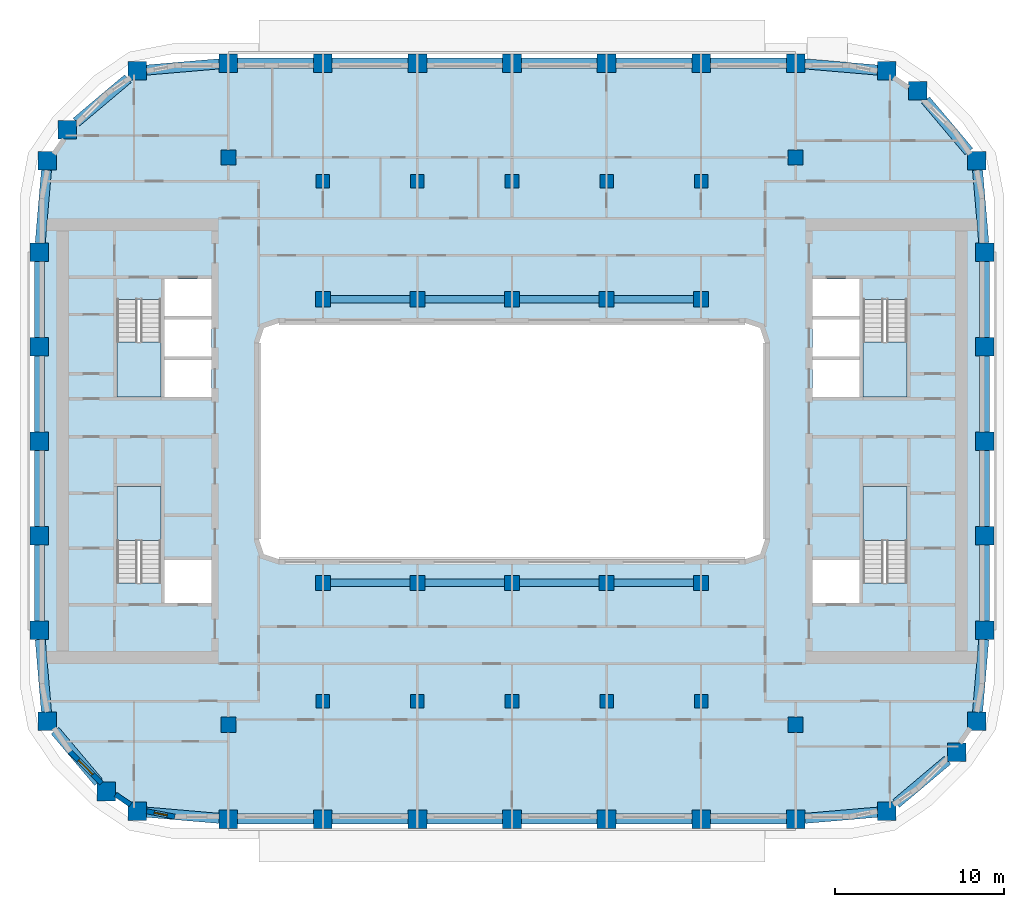
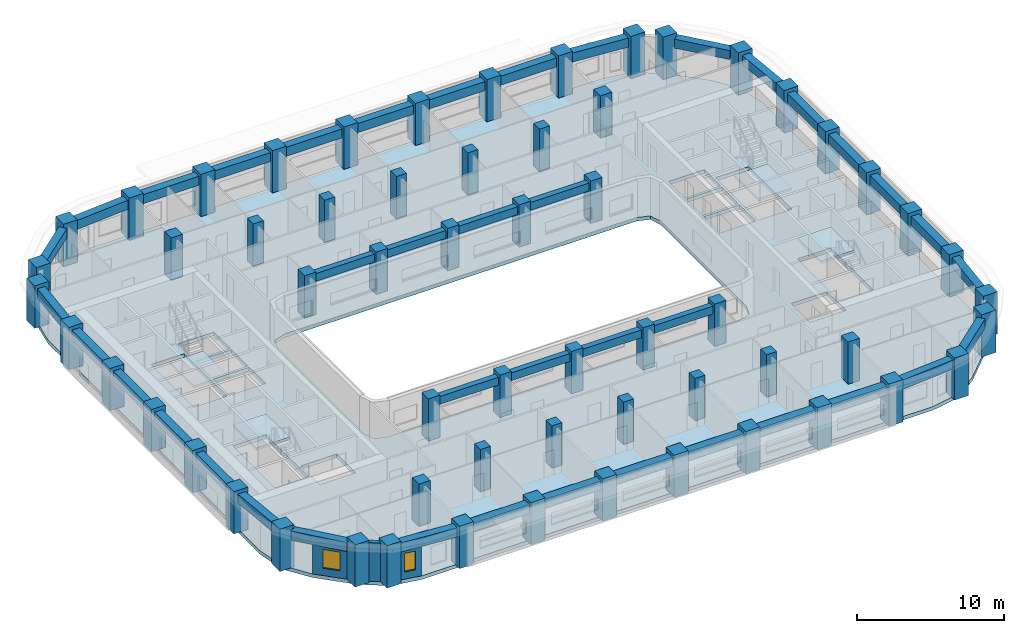
# One storey, part 1 of 22: 60 columns, 40 beams, 5 slabs, 3 walls, 2 windows, 2 openings, 4 elements without a shape of their own.
"""IFC4 building model written with IfcOpenShell, lengths in metres."""

import ifcopenshell
import ifcopenshell.guid

model = None  # the IFC model being written
_history = None  # IfcOwnerHistory: only IFC2X3 demands one
_inside = {}  # id of a spatial element -> (the spatial element, [elements in it])
_under = {}  # id of a project, library or spatial element -> (it, [spatial elements below it])
_declared = {}  # id of a project -> (the project, [libraries it declares])
_typed = {}  # id of a type object -> (the type object, [elements of that type])
_made_of = {}  # id of a material, layer set ... -> (it, [elements and type objects made of it])


def new_model(schema):
    """Start an empty IFC model of exactly this schema.

    Asked for "IFC4X3", IfcOpenShell would pick the latest addendum, in which some entities
    have other attributes; the version numbers below select the first issue.
    IFC2X3 requires an IfcOwnerHistory on every rooted entity: one is made here for all.
    """
    global model, _history
    if schema == "IFC4X3":
        model = ifcopenshell.file(schema_version=(4, 3, 0, 0))
    else:
        model = ifcopenshell.file(schema=schema)
    _inside.clear()
    _under.clear()
    _declared.clear()
    _typed.clear()
    _made_of.clear()
    _history = None
    if model.schema == "IFC2X3":
        org = make("IfcOrganization", Name="unknown")
        user = make(
            "IfcPersonAndOrganization",
            ThePerson=make("IfcPerson", FamilyName="unknown"),
            TheOrganization=org,
        )
        app = make(
            "IfcApplication",
            ApplicationDeveloper=org,
            Version="unknown",
            ApplicationFullName="unknown",
            ApplicationIdentifier="unknown",
        )
        _history = make(
            "IfcOwnerHistory",
            OwningUser=user,
            OwningApplication=app,
            ChangeAction="ADDED",
            CreationDate=0,
        )
    return model


def make(cls, **values):
    """One entity of the class cls with the attributes given. An attribute that is None is left unset."""
    return model.create_entity(
        cls, **{name: value for name, value in values.items() if value is not None}
    )


def rooted(cls, **values):
    """An entity with a GlobalId (a new one), such as an element, a storey or a relation."""
    return make(cls, GlobalId=ifcopenshell.guid.new(), OwnerHistory=_history, **values)


def si_unit(unit_type, name, prefix=None):
    """IfcSIUnit, for example si_unit("LENGTHUNIT", "METRE", prefix="MILLI")."""
    return make("IfcSIUnit", UnitType=unit_type, Prefix=prefix, Name=name)


def assignment(units):
    """IfcUnitAssignment: the units of a project."""
    return None if units is None else make("IfcUnitAssignment", Units=units)


def point(xyz):
    """IfcCartesianPoint."""
    return None if xyz is None else make("IfcCartesianPoint", Coordinates=xyz)


def direction(xyz):
    """IfcDirection."""
    return None if xyz is None else make("IfcDirection", DirectionRatios=xyz)


def frame(location, z_axis=None, x_axis=None):
    """IfcAxis2Placement3D, a coordinate frame: its origin and axes. An axis left out is left unset."""
    return make(
        "IfcAxis2Placement3D",
        Location=point(location),
        Axis=direction(z_axis),
        RefDirection=direction(x_axis),
    )


def frame_2d(location, x_axis=None):
    """IfcAxis2Placement2D, a coordinate frame in the plane: its origin and x axis."""
    return make(
        "IfcAxis2Placement2D", Location=point(location), RefDirection=direction(x_axis)
    )


def origin():
    """The frame at (0, 0, 0) with its axes left unset."""
    return frame((0.0, 0.0, 0.0))


def origin_2d():
    """The frame at (0, 0) in the plane with its x axis left unset."""
    return frame_2d((0.0, 0.0))


def place(relative_to, where):
    """IfcLocalPlacement: puts the frame where relative to a parent placement (None: the world)."""
    return make(
        "IfcLocalPlacement", PlacementRelTo=relative_to, RelativePlacement=where
    )


def context(
    kind, dimensions, precision=None, world=None, true_north=None, identifier=None
):
    """IfcGeometricRepresentationContext, for example the 3D "Model" context."""
    return make(
        "IfcGeometricRepresentationContext",
        ContextIdentifier=identifier,
        ContextType=kind,
        CoordinateSpaceDimension=dimensions,
        Precision=precision,
        WorldCoordinateSystem=world,
        TrueNorth=true_north,
    )


def subcontext(parent, identifier, kind, view, scale=None):
    """IfcGeometricRepresentationSubContext, for example "Body" below "Model"."""
    return make(
        "IfcGeometricRepresentationSubContext",
        ContextIdentifier=identifier,
        ContextType=kind,
        ParentContext=parent,
        TargetScale=scale,
        TargetView=view,
    )


def project(units=None, contexts=None):
    """IfcProject with its units and contexts."""
    return rooted(
        "IfcProject",
        Name="project",
        RepresentationContexts=contexts,
        UnitsInContext=assignment(units),
    )


def spatial(cls, under=None, at=None, **own):
    """A site, building, storey or space (cls), placed at a placement, below another one or the project."""
    s = rooted(cls, ObjectPlacement=at, **own)
    if under is not None:
        _under.setdefault(under.id(), (under, []))[1].append(s)
    return s


def polyline(points):
    """IfcPolyline through the points."""
    return make("IfcPolyline", Points=[point(p) for p in points])


def profile(cls, at=None, kind="AREA", **sizes):
    """A parametric profile (cls). Its sizes go by their IFC names, for example OverallWidth=200.0."""
    return make(cls, ProfileType=kind, Position=at, **sizes)


def rectangle(**sizes):
    """IfcRectangleProfileDef."""
    return profile("IfcRectangleProfileDef", **sizes)


def outline(outer, holes=None, kind="AREA"):
    """IfcArbitraryClosedProfileDef: a profile drawn as a closed curve; with holes, ...WithVoids."""
    if holes is None:
        return make("IfcArbitraryClosedProfileDef", ProfileType=kind, OuterCurve=outer)
    return make(
        "IfcArbitraryProfileDefWithVoids",
        ProfileType=kind,
        OuterCurve=outer,
        InnerCurves=holes,
    )


def extrude(swept, where, along, depth):
    """IfcExtrudedAreaSolid: the profile swept, set in the frame where, extruded along a direction by depth."""
    return make(
        "IfcExtrudedAreaSolid",
        SweptArea=swept,
        Position=where,
        ExtrudedDirection=direction(along),
        Depth=depth,
    )


def shape(context_of_items, identifier, shape_type, items):
    """IfcShapeRepresentation: the items that make up one representation, for example the "Body"."""
    return make(
        "IfcShapeRepresentation",
        ContextOfItems=context_of_items,
        RepresentationIdentifier=identifier,
        RepresentationType=shape_type,
        Items=items,
    )


def material(Name=None, Category=None):
    """IfcMaterial."""
    return make("IfcMaterial", Name=Name, Category=Category)


def layer(
    of_material, thickness, ventilated=None, Name=None, Category=None, Priority=None
):
    """IfcMaterialLayer: one layer of a wall or slab, of a material (None: an air gap)."""
    return make(
        "IfcMaterialLayer",
        Material=of_material,
        LayerThickness=thickness,
        IsVentilated=ventilated,
        Name=Name,
        Category=Category,
        Priority=Priority,
    )


def layer_set(layers, Name=None):
    """IfcMaterialLayerSet."""
    return make("IfcMaterialLayerSet", MaterialLayers=layers, LayerSetName=Name)


def material_profile(
    of_material, cross_section, Name=None, Category=None, Priority=None
):
    """IfcMaterialProfile: a cross section and its material."""
    return make(
        "IfcMaterialProfile",
        Name=Name,
        Material=of_material,
        Profile=cross_section,
        Priority=Priority,
        Category=Category,
    )


def profile_set(profiles, Name=None, composite=None):
    """IfcMaterialProfileSet."""
    return make(
        "IfcMaterialProfileSet",
        Name=Name,
        MaterialProfiles=profiles,
        CompositeProfile=composite,
    )


def made_of(thing, what):
    """Note that an element or type object is made of a material, layer set ...; save() writes the relation."""
    if what is not None:
        _made_of.setdefault(what.id(), (what, []))[1].append(thing)
    return thing


def type_object(cls, material=None, **own):
    """A type object (cls), such as IfcWallType, which elements share."""
    return made_of(rooted(cls, **own), material)


def element(
    cls,
    number,
    at=None,
    inside=None,
    cuts=None,
    type_object=None,
    material=None,
    context=None,
    identifier="Body",
    shape_type=None,
    held_by="IfcProductDefinitionShape",
    body=None,
    shapes=None,
    **own,
):
    """One element of the class cls, such as IfcWall. Its Tag is "e" and its number.

    at: its placement. inside: the storey or other place that contains it. cuts: it is an
    opening in that element (IfcRelVoidsElement). A single representation is given by context,
    identifier, shape_type and body (its items); several are given by shapes. held_by: the class
    of the entity that holds the representations. save() writes the other relations.
    """
    e = rooted(cls, Tag="e%d" % number, ObjectPlacement=at, **own)
    if body is not None:
        shapes = [shape(context, identifier, shape_type, body)]
    if shapes is not None:
        e.Representation = make(held_by, Representations=shapes)
    if inside is not None:
        _inside.setdefault(inside.id(), (inside, []))[1].append(e)
    if cuts is not None:
        rooted(
            "IfcRelVoidsElement", RelatingBuildingElement=cuts, RelatedOpeningElement=e
        )
    if type_object is not None:
        _typed.setdefault(type_object.id(), (type_object, []))[1].append(e)
    return made_of(e, material)


def fill(opening, filler):
    """IfcRelFillsElement: the door or window that sits in an opening."""
    return rooted(
        "IfcRelFillsElement",
        RelatingOpeningElement=opening,
        RelatedBuildingElement=filler,
    )


def aggregate(whole, parts):
    """IfcRelAggregates: a whole, such as a stair, and the parts it consists of."""
    return rooted("IfcRelAggregates", RelatingObject=whole, RelatedObjects=parts)


def save(model, path):
    """Write the relations noted so far, then the file.

    IfcRelAggregates (storeys below a building ...), IfcRelContainedInSpatialStructure (elements
    in a storey), IfcRelDefinesByType, IfcRelAssociatesMaterial and IfcRelDeclares: one each for
    every whole, place, type object, material and project.
    """
    for whole, parts in _under.values():
        aggregate(whole, parts)
    for where, things in _inside.values():
        rooted(
            "IfcRelContainedInSpatialStructure",
            RelatedElements=things,
            RelatingStructure=where,
        )
    for kind, things in _typed.values():
        rooted("IfcRelDefinesByType", RelatedObjects=things, RelatingType=kind)
    for what, things in _made_of.values():
        rooted("IfcRelAssociatesMaterial", RelatedObjects=things, RelatingMaterial=what)
    for by, libraries in _declared.values():
        rooted("IfcRelDeclares", RelatingContext=by, RelatedDefinitions=libraries)
    model.write(path)


model = new_model("IFC4")

# Units and contexts
model_context = context("Model", 3, precision=1e-05, world=origin(), true_north=direction((0.0, 1.0)))
body_context = subcontext(model_context, "Body", "Model", "MODEL_VIEW")
ifc_project = project(units=[si_unit("LENGTHUNIT", "METRE"), si_unit("AREAUNIT", "SQUARE_METRE"), si_unit("VOLUMEUNIT", "CUBIC_METRE"), si_unit("PLANEANGLEUNIT", "RADIAN"), si_unit("MASSUNIT", "GRAM", prefix="KILO")], contexts=[model_context])

# Site, building, storey
site_placement = place(None, origin())
site = spatial("IfcSite", under=ifc_project, at=site_placement, CompositionType="ELEMENT")
building_placement = place(site_placement, origin())
building = spatial("IfcBuilding", under=site, at=building_placement, Name="Kiln Ring Residences", CompositionType="ELEMENT")
storey_placement = place(building_placement, frame((0.0, 0.0, 153.60009765625)))
storey = spatial("IfcBuildingStorey", under=building, at=storey_placement, Name="L39", CompositionType="ELEMENT", Elevation=153.60009765625)

# Columns
ifc_material_1 = material(Name="Concrete C70/85", Category="concrete")
ifc_material_profile_1 = material_profile(ifc_material_1, rectangle(XDim=0.800048828125, YDim=0.800048828125, at=origin_2d()), Name="RC800x800")
ifc_profile_set_1 = profile_set([ifc_material_profile_1], Name="Concrete C70/85")
column_type_1 = type_object("IfcColumnType", Name="Corridor column RC800x800 C70/85", PredefinedType="COLUMN", material=ifc_profile_set_1)
for number, where, z_axis, x_axis, name in (
    (1, (-11.199951171875, 15.39990234375, 0.0), (0.0, 0.0, 1.0), (1.0, 0.0, 0.0), "Corridor column L39 1"),
    (2, (-5.60009765625, 15.39990234375, 0.0), (0.0, 0.0, 1.0), (1.0, 0.0, 0.0), "Corridor column L39 2"),
    (3, (0.0, 15.39990234375, 0.0), (0.0, 0.0, 1.0), (1.0, 0.0, 0.0), "Corridor column L39 3"),
    (4, (5.60009765625, 15.39990234375, 0.0), (0.0, 0.0, 1.0), (1.0, 0.0, 0.0), "Corridor column L39 4"),
    (5, (11.199951171875, 15.39990234375, 0.0), (0.0, 0.0, 1.0), (1.0, 0.0, 0.0), "Corridor column L39 5"),
    (6, (-11.199951171875, -15.39990234375, 0.0), (0.0, 0.0, 1.0), (1.0, 0.0, 0.0), "Corridor column L39 6"),
    (7, (-5.60009765625, -15.39990234375, 0.0), (0.0, 0.0, 1.0), (1.0, 0.0, 0.0), "Corridor column L39 7"),
    (8, (0.0, -15.39990234375, 0.0), (0.0, 0.0, 1.0), (1.0, 0.0, 0.0), "Corridor column L39 8"),
    (9, (5.60009765625, -15.39990234375, 0.0), (0.0, 0.0, 1.0), (1.0, 0.0, 0.0), "Corridor column L39 9"),
    (10, (11.199951171875, -15.39990234375, 0.0), (0.0, 0.0, 1.0), (1.0, 0.0, 0.0), "Corridor column L39 10"),
):
    element("IfcColumn", number, at=place(storey_placement, frame(where, z_axis=z_axis, x_axis=x_axis)), inside=storey, type_object=column_type_1, Name=name, PredefinedType="COLUMN", context=body_context, shape_type="SweptSolid", body=[
        extrude(rectangle(XDim=0.800048828125, YDim=0.800048828125, at=origin_2d()), origin(), (0.0, 0.0, 1.0), 3.5),
    ])
ifc_material_2 = material(Name="Concrete C70/85", Category="concrete")
ifc_material_profile_2 = material_profile(ifc_material_2, rectangle(XDim=1.10009765625, YDim=1.10009765625, at=origin_2d()), Name="RC1100x1100")
ifc_profile_set_2 = profile_set([ifc_material_profile_2], Name="Concrete C70/85")
column_type_2 = type_object("IfcColumnType", Name="Perimeter column RC1100x1100 C70/85", PredefinedType="COLUMN", material=ifc_profile_set_2)
for number, where, z_axis, x_axis, name in (
    (11, (-22.208740234375, -21.93798828125, 0.0), (0.0, 0.0, 1.0), (1.0, 0.0, 0.0), "Perimeter column L39 1"),
    (12, (-16.800048828125, -22.39990234375, 0.0), (0.0, 0.0, 1.0), (1.0, 0.0, 0.0), "Perimeter column L39 2"),
    (13, (-11.199951171875, -22.39990234375, 0.0), (0.0, 0.0, 1.0), (1.0, 0.0, 0.0), "Perimeter column L39 3"),
    (14, (-5.60009765625, -22.39990234375, 0.0), (0.0, 0.0, 1.0), (1.0, 0.0, 0.0), "Perimeter column L39 4"),
    (15, (0.0, -22.39990234375, 0.0), (0.0, 0.0, 1.0), (1.0, 0.0, 0.0), "Perimeter column L39 5"),
    (16, (5.60009765625, -22.39990234375, 0.0), (0.0, 0.0, 1.0), (1.0, 0.0, 0.0), "Perimeter column L39 6"),
    (17, (11.199951171875, -22.39990234375, 0.0), (0.0, 0.0, 1.0), (1.0, 0.0, 0.0), "Perimeter column L39 7"),
    (18, (16.800048828125, -22.39990234375, 0.0), (0.0, 0.0, 1.0), (1.0, 0.0, 0.0), "Perimeter column L39 8"),
    (19, (22.208740234375, -21.93798828125, 0.0), (0.0, 0.0, 1.0), (1.0, 0.0, 0.0), "Perimeter column L39 9"),
    (20, (26.35986328125, -18.440185546875, 0.0), (0.0, 0.0, 1.0), (1.0, 0.0, 0.0), "Perimeter column L39 10"),
    (21, (27.5380859375, -16.608642578125, 0.0), (0.0, 0.0, 1.0), (1.0, 0.0, 0.0), "Perimeter column L39 11"),
    (22, (28.0, -11.199951171875, 0.0), (0.0, 0.0, 1.0), (1.0, 0.0, 0.0), "Perimeter column L39 12"),
    (23, (28.0, -5.60009765625, 0.0), (0.0, 0.0, 1.0), (1.0, 0.0, 0.0), "Perimeter column L39 13"),
    (24, (28.0, 0.0, 0.0), (0.0, 0.0, 1.0), (1.0, 0.0, 0.0), "Perimeter column L39 14"),
    (25, (28.0, 5.60009765625, 0.0), (0.0, 0.0, 1.0), (1.0, 0.0, 0.0), "Perimeter column L39 15"),
    (26, (28.0, 11.199951171875, 0.0), (0.0, 0.0, 1.0), (1.0, 0.0, 0.0), "Perimeter column L39 16"),
    (27, (27.5380859375, 16.608642578125, 0.0), (0.0, 0.0, 1.0), (1.0, 0.0, 0.0), "Perimeter column L39 17"),
    (28, (24.040283203125, 20.759765625, 0.0), (0.0, 0.0, 1.0), (1.0, 0.0, 0.0), "Perimeter column L39 18"),
    (29, (22.208740234375, 21.93798828125, 0.0), (0.0, 0.0, 1.0), (1.0, 0.0, 0.0), "Perimeter column L39 19"),
    (30, (16.800048828125, 22.39990234375, 0.0), (0.0, 0.0, 1.0), (1.0, 0.0, 0.0), "Perimeter column L39 20"),
    (31, (11.199951171875, 22.39990234375, 0.0), (0.0, 0.0, 1.0), (1.0, 0.0, 0.0), "Perimeter column L39 21"),
    (32, (5.60009765625, 22.39990234375, 0.0), (0.0, 0.0, 1.0), (1.0, 0.0, 0.0), "Perimeter column L39 22"),
    (33, (0.0, 22.39990234375, 0.0), (0.0, 0.0, 1.0), (1.0, 0.0, 0.0), "Perimeter column L39 23"),
    (34, (-5.60009765625, 22.39990234375, 0.0), (0.0, 0.0, 1.0), (1.0, 0.0, 0.0), "Perimeter column L39 24"),
    (35, (-11.199951171875, 22.39990234375, 0.0), (0.0, 0.0, 1.0), (1.0, 0.0, 0.0), "Perimeter column L39 25"),
    (36, (-16.800048828125, 22.39990234375, 0.0), (0.0, 0.0, 1.0), (1.0, 0.0, 0.0), "Perimeter column L39 26"),
    (37, (-22.208740234375, 21.93798828125, 0.0), (0.0, 0.0, 1.0), (1.0, 0.0, 0.0), "Perimeter column L39 27"),
    (38, (-26.35986328125, 18.440185546875, 0.0), (0.0, 0.0, 1.0), (1.0, 0.0, 0.0), "Perimeter column L39 28"),
    (39, (-27.5380859375, 16.608642578125, 0.0), (0.0, 0.0, 1.0), (1.0, 0.0, 0.0), "Perimeter column L39 29"),
    (40, (-28.0, 11.199951171875, 0.0), (0.0, 0.0, 1.0), (1.0, 0.0, 0.0), "Perimeter column L39 30"),
    (41, (-28.0, 5.60009765625, 0.0), (0.0, 0.0, 1.0), (1.0, 0.0, 0.0), "Perimeter column L39 31"),
    (42, (-28.0, 0.0, 0.0), (0.0, 0.0, 1.0), (1.0, 0.0, 0.0), "Perimeter column L39 32"),
    (43, (-28.0, -5.60009765625, 0.0), (0.0, 0.0, 1.0), (1.0, 0.0, 0.0), "Perimeter column L39 33"),
    (44, (-28.0, -11.199951171875, 0.0), (0.0, 0.0, 1.0), (1.0, 0.0, 0.0), "Perimeter column L39 34"),
    (45, (-27.5380859375, -16.608642578125, 0.0), (0.0, 0.0, 1.0), (1.0, 0.0, 0.0), "Perimeter column L39 35"),
    (46, (-24.040283203125, -20.759765625, 0.0), (0.0, 0.0, 1.0), (1.0, 0.0, 0.0), "Perimeter column L39 36"),
):
    element("IfcColumn", number, at=place(storey_placement, frame(where, z_axis=z_axis, x_axis=x_axis)), inside=storey, type_object=column_type_2, Name=name, PredefinedType="COLUMN", context=body_context, shape_type="SweptSolid", body=[
        extrude(rectangle(XDim=1.10009765625, YDim=1.10009765625, at=origin_2d()), origin(), (0.0, 0.0, 1.0), 3.5),
    ])
ifc_material_3 = material(Name="Concrete C70/85", Category="concrete")
ifc_material_profile_3 = material_profile(ifc_material_3, rectangle(XDim=0.89990234375, YDim=0.89990234375, at=origin_2d()), Name="RC900x900")
ifc_profile_set_3 = profile_set([ifc_material_profile_3], Name="Concrete C70/85")
column_type_3 = type_object("IfcColumnType", Name="Ring column RC900x900 C70/85", PredefinedType="COLUMN", material=ifc_profile_set_3)
for number, where, z_axis, x_axis, name in (
    (47, (-16.800048828125, -16.800048828125, 0.0), (0.0, 0.0, 1.0), (1.0, 0.0, 0.0), "Ring column L39 1"),
    (48, (-16.800048828125, 16.800048828125, 0.0), (0.0, 0.0, 1.0), (1.0, 0.0, 0.0), "Ring column L39 2"),
    (49, (-11.199951171875, -8.39990234375, 0.0), (0.0, 0.0, 1.0), (1.0, 0.0, 0.0), "Ring column L39 3"),
    (50, (-11.199951171875, 8.39990234375, 0.0), (0.0, 0.0, 1.0), (1.0, 0.0, 0.0), "Ring column L39 4"),
    (51, (-5.60009765625, -8.39990234375, 0.0), (0.0, 0.0, 1.0), (1.0, 0.0, 0.0), "Ring column L39 5"),
    (52, (-5.60009765625, 8.39990234375, 0.0), (0.0, 0.0, 1.0), (1.0, 0.0, 0.0), "Ring column L39 6"),
    (53, (0.0, -8.39990234375, 0.0), (0.0, 0.0, 1.0), (1.0, 0.0, 0.0), "Ring column L39 7"),
    (54, (0.0, 8.39990234375, 0.0), (0.0, 0.0, 1.0), (1.0, 0.0, 0.0), "Ring column L39 8"),
    (55, (5.60009765625, -8.39990234375, 0.0), (0.0, 0.0, 1.0), (1.0, 0.0, 0.0), "Ring column L39 9"),
    (56, (5.60009765625, 8.39990234375, 0.0), (0.0, 0.0, 1.0), (1.0, 0.0, 0.0), "Ring column L39 10"),
    (57, (11.199951171875, -8.39990234375, 0.0), (0.0, 0.0, 1.0), (1.0, 0.0, 0.0), "Ring column L39 11"),
    (58, (11.199951171875, 8.39990234375, 0.0), (0.0, 0.0, 1.0), (1.0, 0.0, 0.0), "Ring column L39 12"),
    (59, (16.800048828125, -16.800048828125, 0.0), (0.0, 0.0, 1.0), (1.0, 0.0, 0.0), "Ring column L39 13"),
    (60, (16.800048828125, 16.800048828125, 0.0), (0.0, 0.0, 1.0), (1.0, 0.0, 0.0), "Ring column L39 14"),
):
    element("IfcColumn", number, at=place(storey_placement, frame(where, z_axis=z_axis, x_axis=x_axis)), inside=storey, type_object=column_type_3, Name=name, PredefinedType="COLUMN", context=body_context, shape_type="SweptSolid", body=[
        extrude(rectangle(XDim=0.89990234375, YDim=0.89990234375, at=origin_2d()), origin(), (0.0, 0.0, 1.0), 3.5),
    ])

# Beams
ifc_material_4 = material(Name="Concrete C50/60", Category="concrete")
ifc_material_profile_4 = material_profile(ifc_material_4, rectangle(XDim=0.449951171875, YDim=0.64990234375, at=origin_2d()), Name="RC450x650")
ifc_profile_set_4 = profile_set([ifc_material_profile_4], Name="Concrete C50/60")
beam_type_1 = type_object("IfcBeamType", Name="Ring beam RC450x650 C50/60", PredefinedType="BEAM", material=ifc_profile_set_4)
for number, where, z_axis, x_axis, name in (
    (61, (-10.75, -8.39990234375, 2.875), (1.0, 0.0, 0.0), (0.0, 1.0, 0.0), "Ring beam L39 1"),
    (62, (-5.14990234375, -8.39990234375, 2.875), (1.0, 0.0, 0.0), (0.0, 1.0, 0.0), "Ring beam L39 2"),
    (63, (0.449951171875, -8.39990234375, 2.875), (1.0, 0.0, 0.0), (0.0, 1.0, 0.0), "Ring beam L39 3"),
    (64, (6.050048828125, -8.39990234375, 2.875), (1.0, 0.0, 0.0), (0.0, 1.0, 0.0), "Ring beam L39 4"),
    (65, (-10.75, 8.39990234375, 2.875), (1.0, 0.0, 0.0), (0.0, 1.0, 0.0), "Ring beam L39 5"),
    (66, (-5.14990234375, 8.39990234375, 2.875), (1.0, 0.0, 0.0), (0.0, 1.0, 0.0), "Ring beam L39 6"),
    (67, (0.449951171875, 8.39990234375, 2.875), (1.0, 0.0, 0.0), (0.0, 1.0, 0.0), "Ring beam L39 7"),
    (68, (6.050048828125, 8.39990234375, 2.875), (1.0, 0.0, 0.0), (0.0, 1.0, 0.0), "Ring beam L39 8"),
):
    element("IfcBeam", number, at=place(storey_placement, frame(where, z_axis=z_axis, x_axis=x_axis)), inside=storey, type_object=beam_type_1, Name=name, PredefinedType="BEAM", context=body_context, shape_type="SweptSolid", body=[
        extrude(rectangle(XDim=0.449951171875, YDim=0.64990234375, at=origin_2d()), origin(), (0.0, 0.0, 1.0), 4.699951171875),
    ])
ifc_material_5 = material(Name="Concrete C50/60", Category="concrete")
ifc_material_profile_5 = material_profile(ifc_material_5, rectangle(XDim=0.60009765625, YDim=0.75, at=origin_2d()), Name="RC600x750")
ifc_profile_set_5 = profile_set([ifc_material_profile_5], Name="Concrete C50/60")
beam_type_2 = type_object("IfcBeamType", Name="Spandrel beam RC600x750 C50/60", PredefinedType="SPANDREL", material=ifc_profile_set_5)
beam_1_placement = place(storey_placement, frame((-21.65869140625, -21.985107421875, 2.824951171875), z_axis=(0.996373912127, -0.085082473117, 0.0), x_axis=(0.085082473117, 0.996373912127, 0.0)))
element("IfcBeam", 69, at=beam_1_placement, inside=storey, type_object=beam_type_2, Name="Spandrel beam L39 1", PredefinedType="SPANDREL", context=body_context, shape_type="SweptSolid", body=[
    extrude(rectangle(XDim=0.60009765625, YDim=0.75, at=origin_2d()), origin(), (0.0, 0.0, 1.0), 4.32421875),
])
for number, where, z_axis, x_axis, name in (
    (70, (-16.25, -22.39990234375, 2.824951171875), (1.0, 0.0, 0.0), (0.0, 1.0, 0.0), "Spandrel beam L39 2"),
    (71, (-10.64990234375, -22.39990234375, 2.824951171875), (1.0, 0.0, 0.0), (0.0, 1.0, 0.0), "Spandrel beam L39 3"),
    (72, (-5.050048828125, -22.39990234375, 2.824951171875), (1.0, 0.0, 0.0), (0.0, 1.0, 0.0), "Spandrel beam L39 4"),
    (73, (0.550048828125, -22.39990234375, 2.824951171875), (1.0, 0.0, 0.0), (0.0, 1.0, 0.0), "Spandrel beam L39 5"),
    (74, (6.14990234375, -22.39990234375, 2.824951171875), (1.0, 0.0, 0.0), (0.0, 1.0, 0.0), "Spandrel beam L39 6"),
    (75, (11.75, -22.39990234375, 2.824951171875), (1.0, 0.0, 0.0), (0.0, 1.0, 0.0), "Spandrel beam L39 7"),
):
    element("IfcBeam", number, at=place(storey_placement, frame(where, z_axis=z_axis, x_axis=x_axis)), inside=storey, type_object=beam_type_2, Name=name, PredefinedType="SPANDREL", context=body_context, shape_type="SweptSolid", body=[
        extrude(rectangle(XDim=0.60009765625, YDim=0.75, at=origin_2d()), origin(), (0.0, 0.0, 1.0), 4.5),
    ])
beam_2_placement = place(storey_placement, frame((17.35009765625, -22.35302734375, 2.824951171875), z_axis=(0.996373912127, 0.085082473117, 0.0), x_axis=(-0.085082473117, 0.996373912127, 0.0)))
element("IfcBeam", 76, at=beam_2_placement, inside=storey, type_object=beam_type_2, Name="Spandrel beam L39 8", PredefinedType="SPANDREL", context=body_context, shape_type="SweptSolid", body=[
    extrude(rectangle(XDim=0.60009765625, YDim=0.75, at=origin_2d()), origin(), (0.0, 0.0, 1.0), 4.32421875),
])
beam_3_placement = place(storey_placement, frame((22.7587890625, -21.474609375, 2.824951171875), z_axis=(0.764693765756, 0.6443938583, 0.0), x_axis=(-0.6443938583, 0.764693765756, 0.0)))
element("IfcBeam", 77, at=beam_3_placement, inside=storey, type_object=beam_type_2, Name="Spandrel beam L39 9", PredefinedType="SPANDREL", context=body_context, shape_type="SweptSolid", body=[
    extrude(rectangle(XDim=0.60009765625, YDim=0.75, at=origin_2d()), origin(), (0.0, 0.0, 1.0), 3.98974609375),
])
beam_4_placement = place(storey_placement, frame((27.5849609375, -16.05859375, 2.824951171875), z_axis=(0.085138522188, 0.996369124391, 0.0), x_axis=(-0.996369124391, 0.085138522188, 0.0)))
element("IfcBeam", 78, at=beam_4_placement, inside=storey, type_object=beam_type_2, Name="Spandrel beam L39 10", PredefinedType="SPANDREL", context=body_context, shape_type="SweptSolid", body=[
    extrude(rectangle(XDim=0.60009765625, YDim=0.75, at=origin_2d()), origin(), (0.0, 0.0, 1.0), 4.32421875),
])
for number, where, z_axis, x_axis, name in (
    (79, (28.0, -10.64990234375, 2.824951171875), (0.0, 1.0, 0.0), (-1.0, 0.0, 0.0), "Spandrel beam L39 11"),
    (80, (28.0, -5.050048828125, 2.824951171875), (0.0, 1.0, 0.0), (-1.0, 0.0, 0.0), "Spandrel beam L39 12"),
    (81, (28.0, 0.550048828125, 2.824951171875), (0.0, 1.0, 0.0), (-1.0, 0.0, 0.0), "Spandrel beam L39 13"),
    (82, (28.0, 6.14990234375, 2.824951171875), (0.0, 1.0, 0.0), (-1.0, 0.0, 0.0), "Spandrel beam L39 14"),
):
    element("IfcBeam", number, at=place(storey_placement, frame(where, z_axis=z_axis, x_axis=x_axis)), inside=storey, type_object=beam_type_2, Name=name, PredefinedType="SPANDREL", context=body_context, shape_type="SweptSolid", body=[
        extrude(rectangle(XDim=0.60009765625, YDim=0.75, at=origin_2d()), origin(), (0.0, 0.0, 1.0), 4.5),
    ])
beam_5_placement = place(storey_placement, frame((27.953125, 11.75, 2.824951171875), z_axis=(-0.085138522188, 0.996369124391, 0.0), x_axis=(-0.996369124391, -0.085138522188, 0.0)))
element("IfcBeam", 83, at=beam_5_placement, inside=storey, type_object=beam_type_2, Name="Spandrel beam L39 15", PredefinedType="SPANDREL", context=body_context, shape_type="SweptSolid", body=[
    extrude(rectangle(XDim=0.60009765625, YDim=0.75, at=origin_2d()), origin(), (0.0, 0.0, 1.0), 4.32421875),
])
beam_6_placement = place(storey_placement, frame((27.07470703125, 17.15869140625, 2.824951171875), z_axis=(-0.6443938583, 0.764693765756, 0.0), x_axis=(-0.764693765756, -0.6443938583, 0.0)))
element("IfcBeam", 84, at=beam_6_placement, inside=storey, type_object=beam_type_2, Name="Spandrel beam L39 16", PredefinedType="SPANDREL", context=body_context, shape_type="SweptSolid", body=[
    extrude(rectangle(XDim=0.60009765625, YDim=0.75, at=origin_2d()), origin(), (0.0, 0.0, 1.0), 3.98974609375),
])
beam_7_placement = place(storey_placement, frame((21.65869140625, 21.985107421875, 2.824951171875), z_axis=(-0.996373912127, 0.085082473117, 0.0), x_axis=(-0.085082473117, -0.996373912127, 0.0)))
element("IfcBeam", 85, at=beam_7_placement, inside=storey, type_object=beam_type_2, Name="Spandrel beam L39 17", PredefinedType="SPANDREL", context=body_context, shape_type="SweptSolid", body=[
    extrude(rectangle(XDim=0.60009765625, YDim=0.75, at=origin_2d()), origin(), (0.0, 0.0, 1.0), 4.32421875),
])
for number, where, z_axis, x_axis, name in (
    (86, (16.25, 22.39990234375, 2.824951171875), (-1.0, 0.0, 0.0), (0.0, -1.0, 0.0), "Spandrel beam L39 18"),
    (87, (10.64990234375, 22.39990234375, 2.824951171875), (-1.0, 0.0, 0.0), (0.0, -1.0, 0.0), "Spandrel beam L39 19"),
    (88, (5.050048828125, 22.39990234375, 2.824951171875), (-1.0, 0.0, 0.0), (0.0, -1.0, 0.0), "Spandrel beam L39 20"),
    (89, (-0.550048828125, 22.39990234375, 2.824951171875), (-1.0, 0.0, 0.0), (0.0, -1.0, 0.0), "Spandrel beam L39 21"),
    (90, (-6.14990234375, 22.39990234375, 2.824951171875), (-1.0, 0.0, 0.0), (0.0, -1.0, 0.0), "Spandrel beam L39 22"),
    (91, (-11.75, 22.39990234375, 2.824951171875), (-1.0, 0.0, 0.0), (0.0, -1.0, 0.0), "Spandrel beam L39 23"),
):
    element("IfcBeam", number, at=place(storey_placement, frame(where, z_axis=z_axis, x_axis=x_axis)), inside=storey, type_object=beam_type_2, Name=name, PredefinedType="SPANDREL", context=body_context, shape_type="SweptSolid", body=[
        extrude(rectangle(XDim=0.60009765625, YDim=0.75, at=origin_2d()), origin(), (0.0, 0.0, 1.0), 4.5),
    ])
beam_8_placement = place(storey_placement, frame((-17.35009765625, 22.35302734375, 2.824951171875), z_axis=(-0.996373912127, -0.085082473117, 0.0), x_axis=(0.085082473117, -0.996373912127, 0.0)))
element("IfcBeam", 92, at=beam_8_placement, inside=storey, type_object=beam_type_2, Name="Spandrel beam L39 24", PredefinedType="SPANDREL", context=body_context, shape_type="SweptSolid", body=[
    extrude(rectangle(XDim=0.60009765625, YDim=0.75, at=origin_2d()), origin(), (0.0, 0.0, 1.0), 4.32421875),
])
beam_9_placement = place(storey_placement, frame((-22.7587890625, 21.474609375, 2.824951171875), z_axis=(-0.764693765756, -0.6443938583, 0.0), x_axis=(0.6443938583, -0.764693765756, 0.0)))
element("IfcBeam", 93, at=beam_9_placement, inside=storey, type_object=beam_type_2, Name="Spandrel beam L39 25", PredefinedType="SPANDREL", context=body_context, shape_type="SweptSolid", body=[
    extrude(rectangle(XDim=0.60009765625, YDim=0.75, at=origin_2d()), origin(), (0.0, 0.0, 1.0), 3.98974609375),
])
beam_10_placement = place(storey_placement, frame((-27.5849609375, 16.05859375, 2.824951171875), z_axis=(-0.085138522188, -0.996369124391, 0.0), x_axis=(0.996369124391, -0.085138522188, 0.0)))
element("IfcBeam", 94, at=beam_10_placement, inside=storey, type_object=beam_type_2, Name="Spandrel beam L39 26", PredefinedType="SPANDREL", context=body_context, shape_type="SweptSolid", body=[
    extrude(rectangle(XDim=0.60009765625, YDim=0.75, at=origin_2d()), origin(), (0.0, 0.0, 1.0), 4.32421875),
])
for number, where, z_axis, x_axis, name in (
    (95, (-28.0, 10.64990234375, 2.824951171875), (0.0, -1.0, 0.0), (1.0, 0.0, 0.0), "Spandrel beam L39 27"),
    (96, (-28.0, 5.050048828125, 2.824951171875), (0.0, -1.0, 0.0), (1.0, 0.0, 0.0), "Spandrel beam L39 28"),
    (97, (-28.0, -0.550048828125, 2.824951171875), (0.0, -1.0, 0.0), (1.0, 0.0, 0.0), "Spandrel beam L39 29"),
    (98, (-28.0, -6.14990234375, 2.824951171875), (0.0, -1.0, 0.0), (1.0, 0.0, 0.0), "Spandrel beam L39 30"),
):
    element("IfcBeam", number, at=place(storey_placement, frame(where, z_axis=z_axis, x_axis=x_axis)), inside=storey, type_object=beam_type_2, Name=name, PredefinedType="SPANDREL", context=body_context, shape_type="SweptSolid", body=[
        extrude(rectangle(XDim=0.60009765625, YDim=0.75, at=origin_2d()), origin(), (0.0, 0.0, 1.0), 4.5),
    ])
beam_11_placement = place(storey_placement, frame((-27.953125, -11.75, 2.824951171875), z_axis=(0.085138522188, -0.996369124391, 0.0), x_axis=(0.996369124391, 0.085138522188, 0.0)))
element("IfcBeam", 99, at=beam_11_placement, inside=storey, type_object=beam_type_2, Name="Spandrel beam L39 31", PredefinedType="SPANDREL", context=body_context, shape_type="SweptSolid", body=[
    extrude(rectangle(XDim=0.60009765625, YDim=0.75, at=origin_2d()), origin(), (0.0, 0.0, 1.0), 4.32421875),
])
beam_12_placement = place(storey_placement, frame((-27.07470703125, -17.15869140625, 2.824951171875), z_axis=(0.6443938583, -0.764693765756, 0.0), x_axis=(0.764693765756, 0.6443938583, 0.0)))
element("IfcBeam", 100, at=beam_12_placement, inside=storey, type_object=beam_type_2, Name="Spandrel beam L39 32", PredefinedType="SPANDREL", context=body_context, shape_type="SweptSolid", body=[
    extrude(rectangle(XDim=0.60009765625, YDim=0.75, at=origin_2d()), origin(), (0.0, 0.0, 1.0), 3.98974609375),
])

# Stair, slab
ifc_material_6 = material(Name="Concrete C40/50", Category="concrete")
stair_type = type_object("IfcStairType", Name="CORE-STAIR", PredefinedType="HALF_TURN_STAIR", material=ifc_material_6)
placement_1 = place(storey_placement, origin())
stair_1 = element("IfcStair", 101, at=placement_1, inside=storey, type_object=stair_type, Name="L39 stair W-STN", PredefinedType="HALF_TURN_STAIR")
ifc_material_7 = material(Name="Concrete C40/50", Category="concrete")
ifc_layer_1 = layer(ifc_material_7, 0.199951171875)
ifc_layer_set_1 = layer_set([ifc_layer_1], Name="CORE-STAIR-LANDING")
slab_type_1 = type_object("IfcSlabType", Name="CORE-STAIR-LANDING", PredefinedType="LANDING", material=ifc_layer_set_1)
placement_2 = place(storey_placement, frame((0.0, 0.0, 1.5498046875)))
slab_1 = element("IfcSlab", 102, at=placement_2, type_object=slab_type_1, Name="W-STN landing 1", PredefinedType="LANDING", context=body_context, shape_type="SweptSolid", body=[
    extrude(outline(polyline([(-23.39990234375, 5.8798828125), (-23.39990234375, 2.60009765625), (-20.800048828125, 2.60009765625), (-20.800048828125, 5.8798828125), (-23.39990234375, 5.8798828125)])), origin(), (0.0, 0.0, 1.0), 0.2001953125),
])
aggregate(stair_1, [slab_1])

stair_2 = element("IfcStair", 103, at=placement_1, inside=storey, type_object=stair_type, Name="L39 stair W-STS", PredefinedType="HALF_TURN_STAIR")
slab_2 = element("IfcSlab", 104, at=placement_2, type_object=slab_type_1, Name="W-STS landing 1", PredefinedType="LANDING", context=body_context, shape_type="SweptSolid", body=[
    extrude(outline(polyline([(-20.800048828125, -5.8798828125), (-20.800048828125, -2.699951171875), (-23.39990234375, -2.699951171875), (-23.39990234375, -5.8798828125), (-20.800048828125, -5.8798828125)])), origin(), (0.0, 0.0, 1.0), 0.2001953125),
])
aggregate(stair_2, [slab_2])

stair_3 = element("IfcStair", 105, at=placement_1, inside=storey, type_object=stair_type, Name="L39 stair E-STN", PredefinedType="HALF_TURN_STAIR")
slab_3 = element("IfcSlab", 106, at=placement_2, type_object=slab_type_1, Name="E-STN landing 1", PredefinedType="LANDING", context=body_context, shape_type="SweptSolid", body=[
    extrude(outline(polyline([(20.800048828125, 5.8798828125), (20.800048828125, 2.60009765625), (23.39990234375, 2.60009765625), (23.39990234375, 5.8798828125), (20.800048828125, 5.8798828125)])), origin(), (0.0, 0.0, 1.0), 0.2001953125),
])
aggregate(stair_3, [slab_3])

stair_4 = element("IfcStair", 107, at=placement_1, inside=storey, type_object=stair_type, Name="L39 stair E-STS", PredefinedType="HALF_TURN_STAIR")
slab_4 = element("IfcSlab", 108, at=placement_2, type_object=slab_type_1, Name="E-STS landing 1", PredefinedType="LANDING", context=body_context, shape_type="SweptSolid", body=[
    extrude(outline(polyline([(23.39990234375, -5.8798828125), (23.39990234375, -2.699951171875), (20.800048828125, -2.699951171875), (20.800048828125, -5.8798828125), (23.39990234375, -5.8798828125)])), origin(), (0.0, 0.0, 1.0), 0.2001953125),
])
aggregate(stair_4, [slab_4])

# Slab
ifc_material_8 = material(Name="Concrete C40/50", Category="concrete")
ifc_layer_2 = layer(ifc_material_8, 0.300048828125)
ifc_layer_set_2 = layer_set([ifc_layer_2], Name="Floor slab 300")
slab_type_2 = type_object("IfcSlabType", Name="Floor slab 300", PredefinedType="FLOOR", material=ifc_layer_set_2)
slab_5_placement = place(storey_placement, frame((0.0, 0.0, -0.300048828125)))
element("IfcSlab", 109, at=slab_5_placement, inside=storey, type_object=slab_type_2, Name="Floor slab L39 1", PredefinedType="FLOOR", context=body_context, shape_type="SweptSolid", body=[
    extrude(outline(polyline([(-26.302978515625, -18.4970703125), (-24.09716796875, -20.702880859375), (-22.224365234375, -21.975830078125), (-20.0, -22.39990234375), (20.0, -22.39990234375), (22.224365234375, -21.975830078125), (24.09716796875, -20.702880859375), (26.302978515625, -18.4970703125), (27.57568359375, -16.624267578125), (28.0, -14.39990234375), (28.0, 14.39990234375), (27.57568359375, 16.624267578125), (26.302978515625, 18.4970703125), (24.09716796875, 20.702880859375), (22.224365234375, 21.975830078125), (20.0, 22.39990234375), (-20.0, 22.39990234375), (-22.224365234375, 21.975830078125), (-24.09716796875, 20.702880859375), (-26.302978515625, 18.4970703125), (-27.57568359375, 16.624267578125), (-28.0, 14.39990234375), (-28.0, -14.39990234375), (-27.57568359375, -16.624267578125), (-26.302978515625, -18.4970703125)]), holes=[polyline([(-14.699951171875, -6.699951171875), (-15.0, -5.800048828125), (-15.0, 5.800048828125), (-14.699951171875, 6.699951171875), (-13.800048828125, 7.0), (13.800048828125, 7.0), (14.699951171875, 6.699951171875), (15.0, 5.800048828125), (15.0, -5.800048828125), (14.699951171875, -6.699951171875), (13.800048828125, -7.0), (-13.800048828125, -7.0), (-14.699951171875, -6.699951171875)]), polyline([(20.800048828125, -8.39794921875), (20.800048828125, -2.699951171875), (23.39990234375, -2.699951171875), (23.39990234375, -8.39794921875), (20.800048828125, -8.39794921875)]), polyline([(23.39990234375, 2.60009765625), (20.800048828125, 2.60009765625), (20.800048828125, 8.39794921875), (23.39990234375, 8.39794921875), (23.39990234375, 2.60009765625)]), polyline([(17.800048828125, 2.60009765625), (17.800048828125, 4.800048828125), (20.60009765625, 4.800048828125), (20.60009765625, 2.60009765625), (17.800048828125, 2.60009765625)]), polyline([(17.800048828125, 5.0), (17.800048828125, 7.199951171875), (20.60009765625, 7.199951171875), (20.60009765625, 5.0), (17.800048828125, 5.0)]), polyline([(17.800048828125, 7.39990234375), (17.800048828125, 9.60009765625), (20.60009765625, 9.60009765625), (20.60009765625, 7.39990234375), (17.800048828125, 7.39990234375)]), polyline([(20.60009765625, -9.60009765625), (17.800048828125, -9.60009765625), (17.800048828125, -7.050048828125), (20.60009765625, -7.050048828125), (20.60009765625, -9.60009765625)]), polyline([(-17.800048828125, -7.050048828125), (-17.800048828125, -9.60009765625), (-20.60009765625, -9.60009765625), (-20.60009765625, -7.050048828125), (-17.800048828125, -7.050048828125)]), polyline([(-17.800048828125, 2.60009765625), (-20.60009765625, 2.60009765625), (-20.60009765625, 4.800048828125), (-17.800048828125, 4.800048828125), (-17.800048828125, 2.60009765625)]), polyline([(-17.800048828125, 5.0), (-20.60009765625, 5.0), (-20.60009765625, 7.199951171875), (-17.800048828125, 7.199951171875), (-17.800048828125, 5.0)]), polyline([(-17.800048828125, 7.39990234375), (-20.60009765625, 7.39990234375), (-20.60009765625, 9.60009765625), (-17.800048828125, 9.60009765625), (-17.800048828125, 7.39990234375)]), polyline([(-20.800048828125, -8.39794921875), (-23.39990234375, -8.39794921875), (-23.39990234375, -2.699951171875), (-20.800048828125, -2.699951171875), (-20.800048828125, -8.39794921875)]), polyline([(-20.800048828125, 8.39794921875), (-20.800048828125, 2.60009765625), (-23.39990234375, 2.60009765625), (-23.39990234375, 8.39794921875), (-20.800048828125, 8.39794921875)])]), origin(), (0.0, 0.0, 1.0), 0.300048828125),
])

# Wall, opening, window
ifc_material_9 = material(Name="Brick masonry, dark clay brick", Category="masonry")
ifc_layer_3 = layer(ifc_material_9, 0.300048828125)
ifc_layer_set_3 = layer_set([ifc_layer_3], Name="EW-300 BRICK WALL")
wall_type = type_object("IfcWallType", Name="EW-300 BRICK WALL", PredefinedType="SOLIDWALL", material=ifc_layer_set_3)
wall_1_placement = place(storey_placement, frame((-26.19677734375, -18.390869140625, 0.0), z_axis=(0.0, 0.0, 1.0), x_axis=(0.707060717099, -0.707152842274, 0.0)))
wall_1 = element("IfcWall", 110, at=wall_1_placement, inside=storey, type_object=wall_type, Name="Facade wall L39 1", PredefinedType="SOLIDWALL", context=body_context, shape_type="SweptSolid", body=[
    extrude(rectangle(XDim=2.650146484375, YDim=0.300048828125, at=frame_2d((1.3251953125, 0.0))), origin(), (0.0, 0.0, 1.0), 2.449951171875),
])
opening_1_placement = place(wall_1_placement, frame((0.72509765625, 0.0, 0.60009765625)))
opening_1 = element("IfcOpeningElement", 111, at=opening_1_placement, cuts=wall_1, Name="Opening W1", PredefinedType="OPENING", context=body_context, shape_type="SweptSolid", body=[
    extrude(rectangle(XDim=1.199951171875, YDim=1.550048828125, at=frame_2d((0.60009765625, 0.77490234375))), frame((0.0, 0.159912109375, 0.0), z_axis=(0.0, -1.0, 0.0), x_axis=(1.0, 0.0, 0.0)), (0.0, 0.0, 1.0), 0.320068359375),
])
ifc_material_10 = material(Name="Aluminium frame with double glazing", Category="aluminium")
window_type_1 = type_object("IfcWindowType", Name="WINDOW 1200 x 1550", PartitioningType="SINGLE_PANEL", PredefinedType="WINDOW", material=ifc_material_10)
window_1_placement = place(opening_1_placement, origin())
window_1 = element("IfcWindow", 112, at=window_1_placement, inside=storey, type_object=window_type_1, Name="Window L39 1", OverallHeight=1.550048828125, OverallWidth=1.199951171875, PartitioningType="SINGLE_PANEL", PredefinedType="WINDOW", context=body_context, shape_type="SweptSolid", body=[
    extrude(rectangle(XDim=1.199951171875, YDim=1.550048828125, at=frame_2d((0.60009765625, 0.77490234375))), frame((0.0, 0.030029296875, 0.0), z_axis=(0.0, -1.0, 0.0), x_axis=(1.0, 0.0, 0.0)), (0.0, 0.0, 1.0), 0.06005859375),
])
fill(opening_1, window_1)

# Wall
wall_2_placement = place(storey_placement, frame((-23.492431640625, -20.932373046875, 0.0), z_axis=(0.0, 0.0, 1.0), x_axis=(0.826993959827, -0.562210806023, 0.0)))
element("IfcWall", 113, at=wall_2_placement, inside=storey, type_object=wall_type, Name="Facade wall L39 2", PredefinedType="SOLIDWALL", context=body_context, shape_type="SweptSolid", body=[
    extrude(rectangle(XDim=1.076904296875, YDim=0.300048828125, at=frame_2d((0.53857421875, 0.0))), origin(), (0.0, 0.0, 1.0), 3.199951171875),
])

# Wall, opening, window
wall_3_placement = place(storey_placement, frame((-21.647705078125, -21.93310546875, 0.0), z_axis=(0.0, 0.0, 1.0), x_axis=(0.982297206936, -0.187329114784, 0.0)))
wall_3 = element("IfcWall", 114, at=wall_3_placement, inside=storey, type_object=wall_type, Name="Facade wall L39 3", PredefinedType="SOLIDWALL", context=body_context, shape_type="SweptSolid", body=[
    extrude(rectangle(XDim=1.7060546875, YDim=0.300048828125, at=frame_2d((0.85302734375, 0.0))), origin(), (0.0, 0.0, 1.0), 2.449951171875),
])
opening_2_placement = place(wall_3_placement, frame((0.453125, 0.0, 0.60009765625)))
opening_2 = element("IfcOpeningElement", 115, at=opening_2_placement, cuts=wall_3, Name="Opening W5", PredefinedType="OPENING", context=body_context, shape_type="SweptSolid", body=[
    extrude(rectangle(XDim=0.800048828125, YDim=1.550048828125, at=frame_2d((0.39990234375, 0.77490234375))), frame((0.0, 0.159912109375, 0.0), z_axis=(0.0, -1.0, 0.0), x_axis=(1.0, 0.0, 0.0)), (0.0, 0.0, 1.0), 0.320068359375),
])
ifc_material_11 = material(Name="Aluminium frame with double glazing", Category="aluminium")
window_type_2 = type_object("IfcWindowType", Name="WINDOW 800 x 1550", PartitioningType="SINGLE_PANEL", PredefinedType="WINDOW", material=ifc_material_11)
window_2_placement = place(opening_2_placement, origin())
window_2 = element("IfcWindow", 116, at=window_2_placement, inside=storey, type_object=window_type_2, Name="Window L39 2", OverallHeight=1.550048828125, OverallWidth=0.800048828125, PartitioningType="SINGLE_PANEL", PredefinedType="WINDOW", context=body_context, shape_type="SweptSolid", body=[
    extrude(rectangle(XDim=0.800048828125, YDim=1.550048828125, at=frame_2d((0.39990234375, 0.77490234375))), frame((0.0, 0.030029296875, 0.0), z_axis=(0.0, -1.0, 0.0), x_axis=(1.0, 0.0, 0.0)), (0.0, 0.0, 1.0), 0.06005859375),
])
fill(opening_2, window_2)

save(model, "model.ifc")
